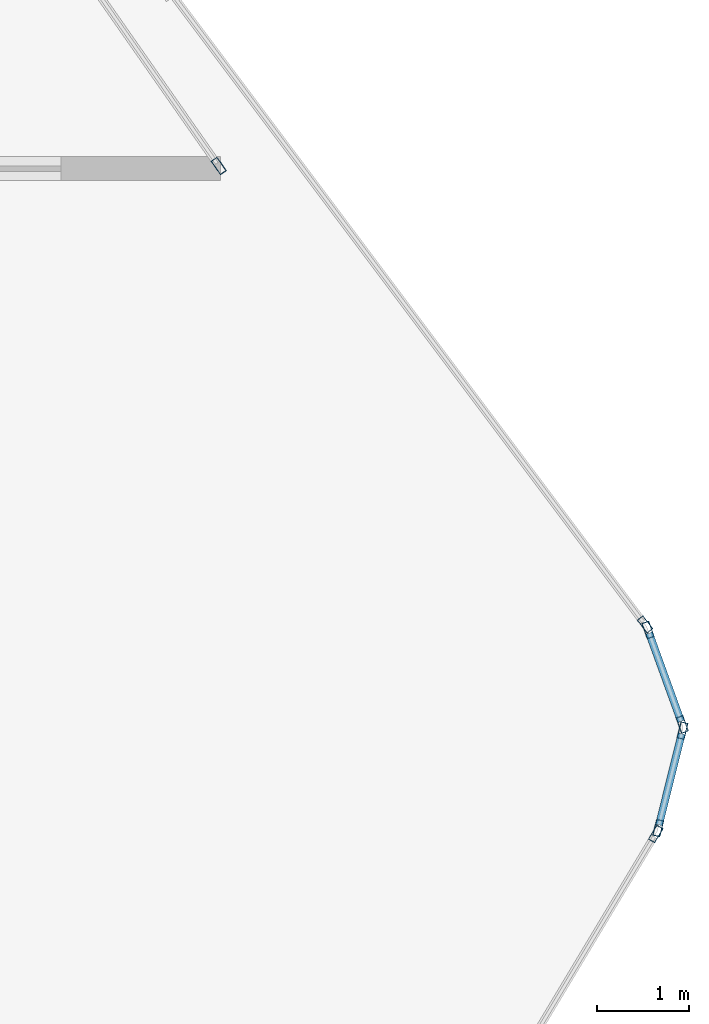
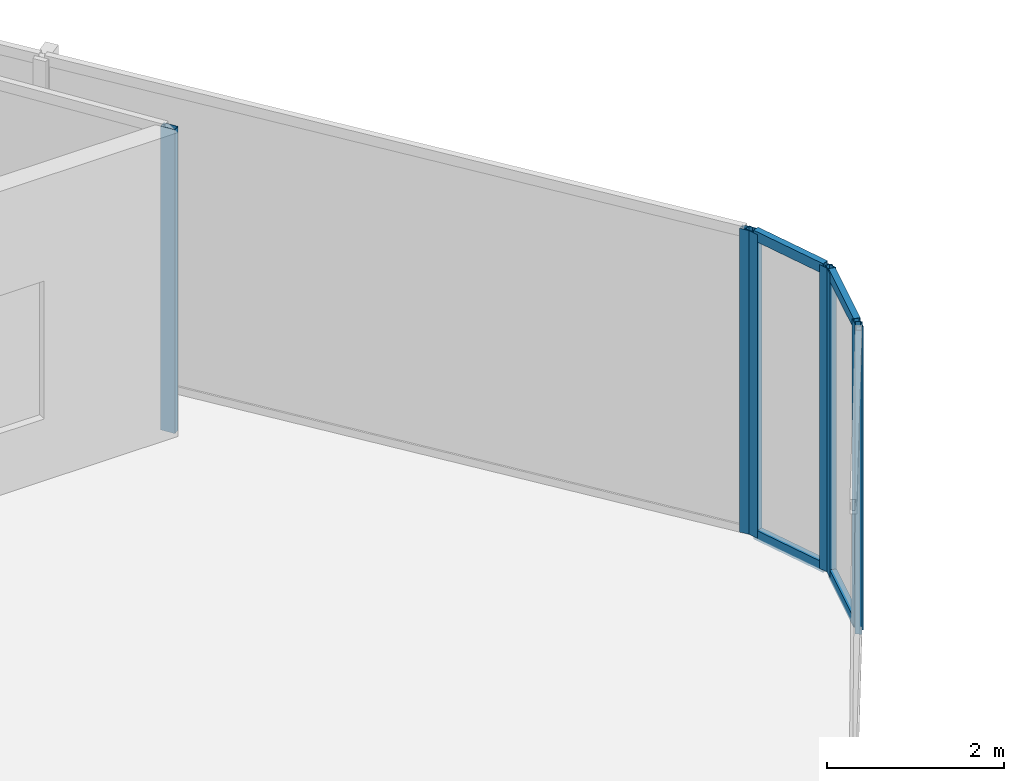
# One storey, part 19 of 31: 11 members, 5 elements without a shape of their own.
"""IFC4 building model written with IfcOpenShell, lengths in metres."""

from ifc_helpers import new_model, si_unit, direction, frame, origin, origin_2d, place, context, subcontext, project, spatial, hollow_rectangle, extrude, material, layer, layer_set, material_profile, profile_set, type_object, element, aggregate, save


model = new_model("IFC4")

# Units and contexts
model_context = context("Model", 3, precision=1e-05, world=origin(), true_north=direction((0.0, 1.0)))
body_context = subcontext(model_context, "Body", "Model", "MODEL_VIEW")
ifc_project = project(units=[si_unit("LENGTHUNIT", "METRE"), si_unit("AREAUNIT", "SQUARE_METRE"), si_unit("VOLUMEUNIT", "CUBIC_METRE"), si_unit("PLANEANGLEUNIT", "RADIAN"), si_unit("MASSUNIT", "GRAM", prefix="KILO")], contexts=[model_context])

# Site, building, storey
site_placement = place(None, origin())
site = spatial("IfcSite", under=ifc_project, at=site_placement, CompositionType="ELEMENT")
building_placement = place(site_placement, origin())
building = spatial("IfcBuilding", under=site, at=building_placement, Name="Keshet Zoharim Tower", CompositionType="ELEMENT")
storey_placement = place(building_placement, frame((0.0, 0.0, 125.300048828125)))
storey = spatial("IfcBuildingStorey", under=building, at=storey_placement, Name="L30", CompositionType="ELEMENT", Elevation=125.300048828125)

# Curtain wall, member
ifc_material = material(Name="Aluminium 6063-T6", Category="aluminium")
ifc_layer = layer(ifc_material, 0.14990234375)
ifc_layer_set = layer_set([ifc_layer], Name="Aluminium 6063-T6")
curtain_wall_type = type_object("IfcCurtainWallType", Name="CW-SYS-04", PredefinedType="NOTDEFINED", material=ifc_layer_set)
curtain_wall_1_placement = place(storey_placement, origin())
curtain_wall_1 = element("IfcCurtainWall", 1, at=curtain_wall_1_placement, inside=storey, type_object=curtain_wall_type, Name="L30 Unitised Curtain Wall 02", PredefinedType="NOTDEFINED")
ifc_material_profile_1 = material_profile(ifc_material, hollow_rectangle(XDim=0.080078125, YDim=0.179931640625, WallThickness=0.00439453125, at=origin_2d()), Name="MUL-80x180")
ifc_profile_set_1 = profile_set([ifc_material_profile_1], Name="Aluminium 6063-T6")
member_type_1 = type_object("IfcMemberType", Name="CWM-M18", PredefinedType="MULLION", material=ifc_profile_set_1)
member_1_placement = place(storey_placement, frame((62.172119140625, 39.00390625, 0.0), z_axis=(0.0, 0.0, 1.0), x_axis=(0.799986189062, 0.600018414142, 0.0)))
member_1 = element("IfcMember", 2, at=member_1_placement, type_object=member_type_1, Name="CW-04 mullion 3", PredefinedType="MULLION", context=body_context, shape_type="SweptSolid", body=[
    extrude(hollow_rectangle(XDim=0.080078125, YDim=0.179931640625, WallThickness=0.00439453125, at=origin_2d()), origin(), (0.0, 0.0, 1.0), 4.18505859375),
])
aggregate(curtain_wall_1, [member_1])

# Curtain wall, members
curtain_wall_2_placement = place(storey_placement, origin())
curtain_wall_2 = element("IfcCurtainWall", 3, at=curtain_wall_2_placement, inside=storey, type_object=curtain_wall_type, Name="L30 Unitised Curtain Wall 03", PredefinedType="NOTDEFINED")
member_2_placement = place(storey_placement, frame((62.204833984375, 38.943115234375, 0.0), z_axis=(0.0, 0.0, 1.0), x_axis=(0.940317877544, 0.340297354046, 0.0)))
member_2 = element("IfcMember", 4, at=member_2_placement, type_object=member_type_1, Name="CW-04 mullion 1", PredefinedType="MULLION", context=body_context, shape_type="SweptSolid", body=[
    extrude(hollow_rectangle(XDim=0.080078125, YDim=0.179931640625, WallThickness=0.00439453125, at=origin_2d()), origin(), (0.0, 0.0, 1.0), 4.18505859375),
])
member_3_placement = place(storey_placement, frame((62.578125, 37.911865234375, 0.0), z_axis=(0.0, 0.0, 1.0), x_axis=(0.940317877544, 0.340297354046, 0.0)))
member_3 = element("IfcMember", 5, at=member_3_placement, type_object=member_type_1, Name="CW-04 mullion 2", PredefinedType="MULLION", context=body_context, shape_type="SweptSolid", body=[
    extrude(hollow_rectangle(XDim=0.080078125, YDim=0.179931640625, WallThickness=0.00439453125, at=origin_2d()), origin(), (0.0, 0.0, 1.0), 4.18505859375),
])

curtain_wall_3_placement = place(storey_placement, origin())
curtain_wall_3 = element("IfcCurtainWall", 6, at=curtain_wall_3_placement, inside=storey, type_object=curtain_wall_type, Name="L30 Unitised Curtain Wall 04", PredefinedType="NOTDEFINED")
member_4_placement = place(storey_placement, frame((62.58154296875, 37.844970703125, 0.0), z_axis=(0.0, 0.0, 1.0), x_axis=(0.970343857447, -0.241728770141, 0.0)))
member_4 = element("IfcMember", 7, at=member_4_placement, type_object=member_type_1, Name="CW-04 mullion 1", PredefinedType="MULLION", context=body_context, shape_type="SweptSolid", body=[
    extrude(hollow_rectangle(XDim=0.080078125, YDim=0.179931640625, WallThickness=0.00439453125, at=origin_2d()), origin(), (0.0, 0.0, 1.0), 4.18505859375),
])
member_5_placement = place(storey_placement, frame((62.31640625, 36.781005859375, 0.0), z_axis=(0.0, 0.0, 1.0), x_axis=(0.970343857447, -0.241728770141, 0.0)))
member_5 = element("IfcMember", 8, at=member_5_placement, type_object=member_type_1, Name="CW-04 mullion 2", PredefinedType="MULLION", context=body_context, shape_type="SweptSolid", body=[
    extrude(hollow_rectangle(XDim=0.080078125, YDim=0.179931640625, WallThickness=0.00439453125, at=origin_2d()), origin(), (0.0, 0.0, 1.0), 4.18505859375),
])

# Curtain wall, member
curtain_wall_4_placement = place(storey_placement, origin())
curtain_wall_4 = element("IfcCurtainWall", 9, at=curtain_wall_4_placement, inside=storey, type_object=curtain_wall_type, Name="L30 Unitised Curtain Wall 05", PredefinedType="NOTDEFINED")
member_6_placement = place(storey_placement, frame((62.2900390625, 36.717041015625, 0.0), z_axis=(0.0, 0.0, 1.0), x_axis=(0.857501477862, -0.514481501576, 0.0)))
member_6 = element("IfcMember", 10, at=member_6_placement, type_object=member_type_1, Name="CW-04 mullion 1", PredefinedType="MULLION", context=body_context, shape_type="SweptSolid", body=[
    extrude(hollow_rectangle(XDim=0.080078125, YDim=0.179931640625, WallThickness=0.00439453125, at=origin_2d()), origin(), (0.0, 0.0, 1.0), 4.18505859375),
])
aggregate(curtain_wall_4, [member_6])

curtain_wall_5_placement = place(storey_placement, origin())
curtain_wall_5 = element("IfcCurtainWall", 11, at=curtain_wall_5_placement, inside=storey, type_object=curtain_wall_type, Name="L30 Unitised Curtain Wall 22", PredefinedType="NOTDEFINED")
member_7_placement = place(storey_placement, frame((57.51806640625, 44.0087890625, 0.0), z_axis=(0.0, 0.0, 1.0), x_axis=(-0.81967959785, -0.57282227337, 0.0)))
member_7 = element("IfcMember", 12, at=member_7_placement, type_object=member_type_1, Name="CW-04 mullion 1", PredefinedType="MULLION", context=body_context, shape_type="SweptSolid", body=[
    extrude(hollow_rectangle(XDim=0.080078125, YDim=0.179931640625, WallThickness=0.00439453125, at=origin_2d()), origin(), (0.0, 0.0, 1.0), 4.18505859375),
])
aggregate(curtain_wall_5, [member_7])

# Member
ifc_material_profile_2 = material_profile(ifc_material, hollow_rectangle(XDim=0.080078125, YDim=0.139892578125, WallThickness=0.00390625, at=origin_2d()), Name="TRN-80x140")
ifc_profile_set_2 = profile_set([ifc_material_profile_2], Name="Aluminium 6063-T6")
member_type_2 = type_object("IfcMemberType", Name="CWT-T14", PredefinedType="USERDEFINED", material=ifc_profile_set_2)
member_8_placement = place(storey_placement, frame((62.216796875, 38.91015625, 0.034912109375), z_axis=(0.340310579984, -0.940313091024, 0.0), x_axis=(0.940313091024, 0.340310579984, 0.0)))
member_8 = element("IfcMember", 13, at=member_8_placement, type_object=member_type_2, Name="CW-04 transom 1.1", ObjectType="TRANSOM", PredefinedType="USERDEFINED", context=body_context, shape_type="SweptSolid", body=[
    extrude(hollow_rectangle(XDim=0.080078125, YDim=0.139892578125, WallThickness=0.00390625, at=origin_2d()), origin(), (0.0, 0.0, 1.0), 1.026611328125),
])

member_9_placement = place(storey_placement, frame((62.216796875, 38.91015625, 4.14990234375), z_axis=(0.340310579984, -0.940313091024, 0.0), x_axis=(0.940313091024, 0.340310579984, 0.0)))
member_9 = element("IfcMember", 14, at=member_9_placement, type_object=member_type_2, Name="CW-04 transom 1.2", ObjectType="TRANSOM", PredefinedType="USERDEFINED", context=body_context, shape_type="SweptSolid", body=[
    extrude(hollow_rectangle(XDim=0.080078125, YDim=0.139892578125, WallThickness=0.00390625, at=origin_2d()), origin(), (0.0, 0.0, 1.0), 1.026611328125),
])

aggregate(curtain_wall_2, [member_2, member_3, member_8, member_9])

member_10_placement = place(storey_placement, frame((62.572998046875, 37.81103515625, 0.034912109375), z_axis=(-0.241640143717, -0.970365931463, 0.0), x_axis=(0.970365931463, -0.241640143717, 0.0)))
member_10 = element("IfcMember", 15, at=member_10_placement, type_object=member_type_2, Name="CW-04 transom 1.1", ObjectType="TRANSOM", PredefinedType="USERDEFINED", context=body_context, shape_type="SweptSolid", body=[
    extrude(hollow_rectangle(XDim=0.080078125, YDim=0.139892578125, WallThickness=0.00390625, at=origin_2d()), origin(), (0.0, 0.0, 1.0), 1.026611328125),
])

member_11_placement = place(storey_placement, frame((62.572998046875, 37.81103515625, 4.14990234375), z_axis=(-0.241640143717, -0.970365931463, 0.0), x_axis=(0.970365931463, -0.241640143717, 0.0)))
member_11 = element("IfcMember", 16, at=member_11_placement, type_object=member_type_2, Name="CW-04 transom 1.2", ObjectType="TRANSOM", PredefinedType="USERDEFINED", context=body_context, shape_type="SweptSolid", body=[
    extrude(hollow_rectangle(XDim=0.080078125, YDim=0.139892578125, WallThickness=0.00390625, at=origin_2d()), origin(), (0.0, 0.0, 1.0), 1.026611328125),
])

aggregate(curtain_wall_3, [member_4, member_5, member_10, member_11])

save(model, "model.ifc")
